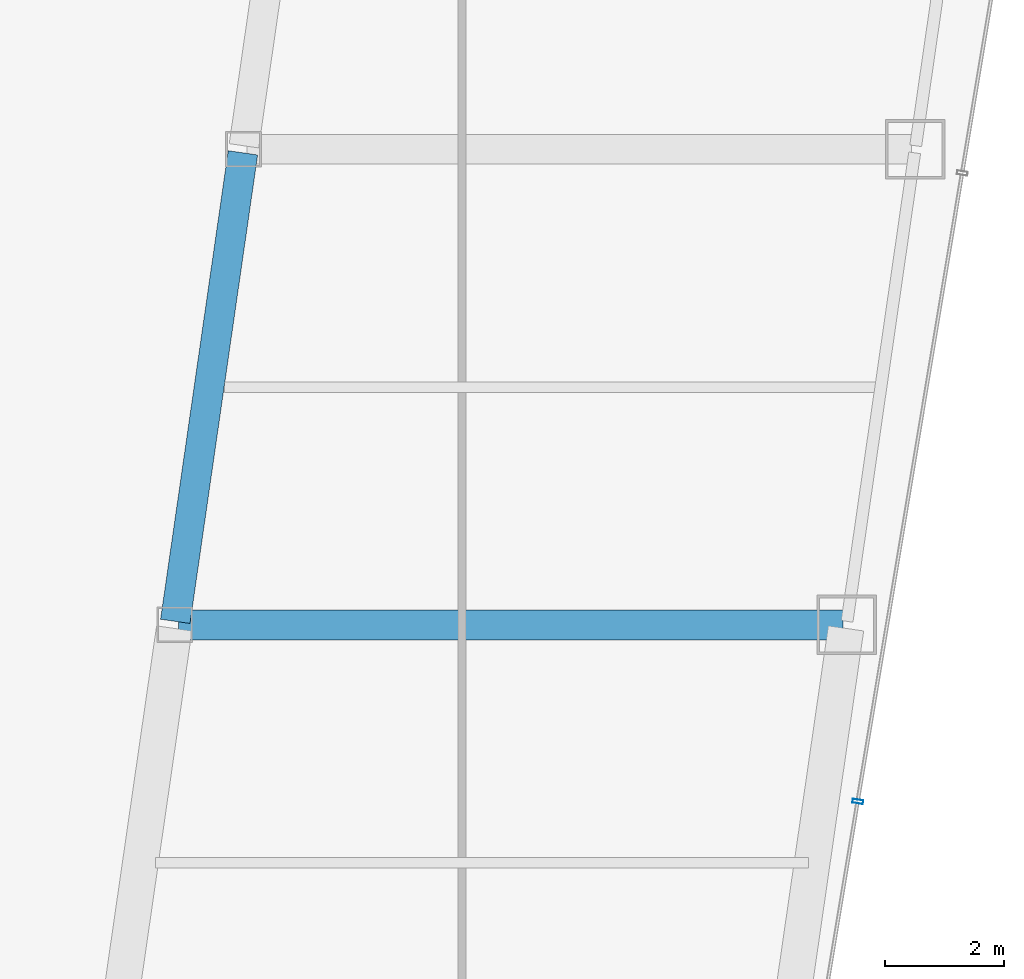
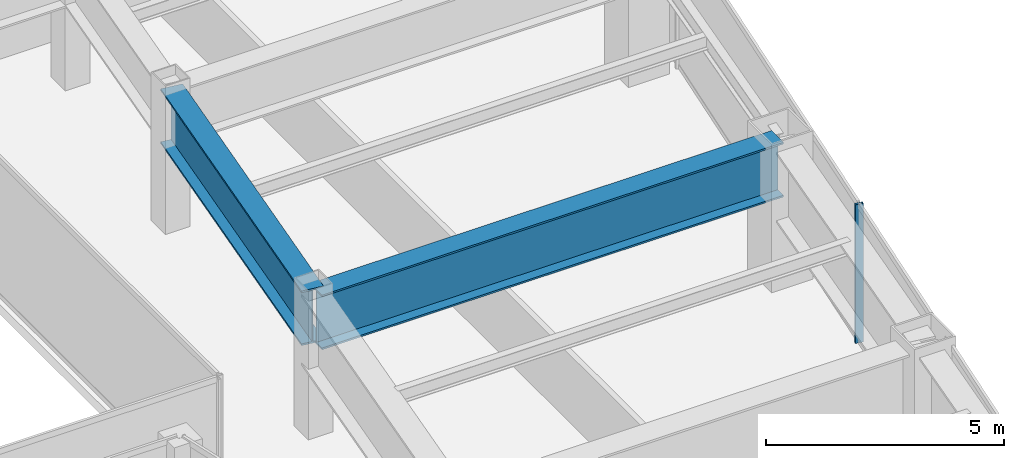
# One storey, part 16 of 37: 2 beams, 1 member, 1 element without a shape of its own.
"""IFC4 building model written with IfcOpenShell, lengths in metres."""

from ifc_helpers import new_model, si_unit, direction, frame, origin, origin_2d, place, context, subcontext, project, spatial, hollow_rectangle, i_section, extrude, material, material_profile, profile_set, type_object, element, aggregate, save


model = new_model("IFC4")

# Units and contexts
model_context = context("Model", 3, precision=1e-05, world=origin(), true_north=direction((0.0, 1.0)))
body_context = subcontext(model_context, "Body", "Model", "MODEL_VIEW")
ifc_project = project(units=[si_unit("LENGTHUNIT", "METRE"), si_unit("AREAUNIT", "SQUARE_METRE"), si_unit("VOLUMEUNIT", "CUBIC_METRE"), si_unit("PLANEANGLEUNIT", "RADIAN"), si_unit("MASSUNIT", "GRAM", prefix="KILO")], contexts=[model_context])

# Site, building, storey
site_placement = place(None, origin())
site = spatial("IfcSite", under=ifc_project, at=site_placement, CompositionType="ELEMENT")
building_placement = place(site_placement, origin())
building = spatial("IfcBuilding", under=site, at=building_placement, Name="Saevonmaru Cultural Tower", CompositionType="ELEMENT")
storey_placement = place(building_placement, frame((0.0, 0.0, 163.800048828125)))
storey = spatial("IfcBuildingStorey", under=building, at=storey_placement, Name="L36", CompositionType="ELEMENT", Elevation=163.800048828125)

# Beams
ifc_material_1 = material(Name="Steel HSA600 (600 MPa)", Category="steel")
ifc_material_profile_1 = material_profile(ifc_material_1, i_section(OverallWidth=0.5, OverallDepth=1.39990234375, WebThickness=0.02392578125, FlangeThickness=0.044921875, at=origin_2d()), Name="PG-1400x500x24x45")
ifc_profile_set_1 = profile_set([ifc_material_profile_1], Name="Steel HSA600 (600 MPa)")
beam_type = type_object("IfcBeamType", Name="BM-TG-PG1400", PredefinedType="BEAM", material=ifc_profile_set_1)
beam_1_placement = place(storey_placement, frame((39.236572265625, 24.059326171875, 2.849853515625), z_axis=(0.142902032203, 0.989736838353, 0.0), x_axis=(-0.989736838353, 0.142902032203, 0.0)))
element("IfcBeam", 1, at=beam_1_placement, inside=storey, type_object=beam_type, Name="L36 East Atrium Girder 3", PredefinedType="BEAM", context=body_context, shape_type="SweptSolid", body=[
    extrude(i_section(OverallWidth=0.5, OverallDepth=1.39990234375, WebThickness=0.02392578125, FlangeThickness=0.044921875, at=origin_2d()), origin(), (0.0, 0.0, 1.0), 7.963134765625),
])
beam_2_placement = place(storey_placement, frame((39.2880859375, 24.0, 2.849853515625), z_axis=(1.0, 0.0, 0.0), x_axis=(0.0, 1.0, 0.0)))
element("IfcBeam", 2, at=beam_2_placement, inside=storey, type_object=beam_type, Name="L36 East Wing Transverse Girder 3", PredefinedType="BEAM", context=body_context, shape_type="SweptSolid", body=[
    extrude(i_section(OverallWidth=0.5, OverallDepth=1.39990234375, WebThickness=0.02392578125, FlangeThickness=0.044921875, at=origin_2d()), origin(), (0.0, 0.0, 1.0), 11.179931640625),
])

# Curtain wall, member
ifc_material_2 = material(Name="Satin Bronze Anodised Aluminium", Category="aluminium")
curtain_wall_type = type_object("IfcCurtainWallType", Name="CW-TYP-A", PredefinedType="NOTDEFINED", material=ifc_material_2)
curtain_wall_placement = place(storey_placement, origin())
curtain_wall = element("IfcCurtainWall", 3, at=curtain_wall_placement, inside=storey, type_object=curtain_wall_type, Name="L36 Unitised Curtain Wall E8", PredefinedType="NOTDEFINED")
ifc_material_profile_2 = material_profile(ifc_material_2, hollow_rectangle(XDim=0.06494140625, YDim=0.179931640625, WallThickness=0.00390625, at=origin_2d()), Name="ALU-MULL-180x65x4")
ifc_profile_set_2 = profile_set([ifc_material_profile_2], Name="Satin Bronze Anodised Aluminium")
member_type = type_object("IfcMemberType", Name="ML-CW-180x65", PredefinedType="MULLION", material=ifc_profile_set_2)
member_placement = place(storey_placement, frame((50.71826171875, 21.029541015625, 0.0), z_axis=(0.0, 0.0, 1.0), x_axis=(0.163998702345, 0.986460554523, 0.0)))
member = element("IfcMember", 4, at=member_placement, type_object=member_type, Name="CW-TW-L36-E8 mullion 2", PredefinedType="MULLION", context=body_context, shape_type="SweptSolid", body=[
    extrude(hollow_rectangle(XDim=0.06494140625, YDim=0.179931640625, WallThickness=0.00390625, at=origin_2d()), origin(), (0.0, 0.0, 1.0), 3.550048828125),
])
aggregate(curtain_wall, [member])

save(model, "model.ifc")
